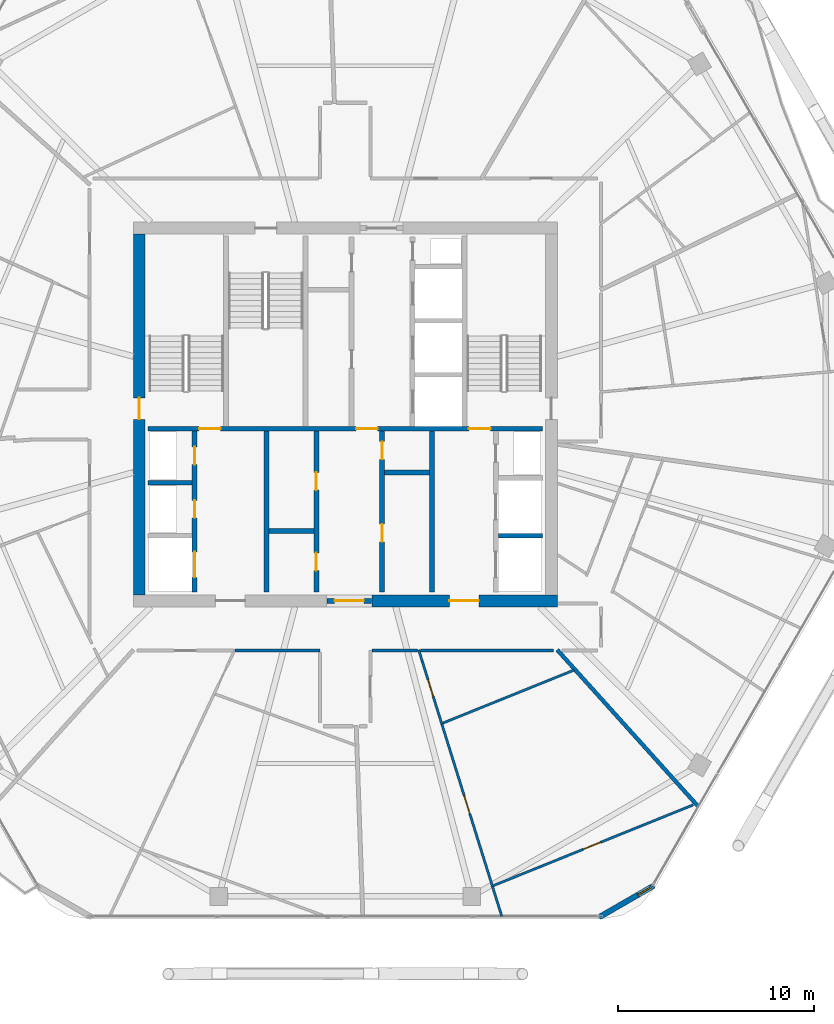
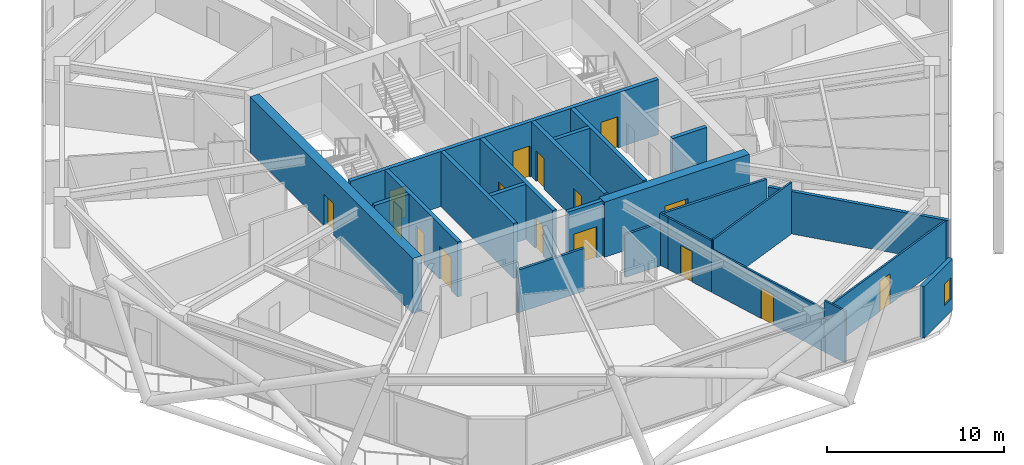
# One storey, part 21 of 27: 24 walls, 16 doors, 1 window, 17 openings.
"""IFC4 building model written with IfcOpenShell, lengths in metres."""

from ifc_helpers import new_model, si_unit, direction, frame, frame_2d, origin, place, context, subcontext, project, spatial, rectangle, extrude, material, layer, layer_set, type_object, element, fill, save


model = new_model("IFC4")

# Units and contexts
model_context = context("Model", 3, precision=1e-05, world=origin(), true_north=direction((0.0, 1.0)))
body_context = subcontext(model_context, "Body", "Model", "MODEL_VIEW")
ifc_project = project(units=[si_unit("LENGTHUNIT", "METRE"), si_unit("AREAUNIT", "SQUARE_METRE"), si_unit("VOLUMEUNIT", "CUBIC_METRE"), si_unit("PLANEANGLEUNIT", "RADIAN"), si_unit("MASSUNIT", "GRAM", prefix="KILO")], contexts=[model_context])

# Site, building, storey
site_placement = place(None, origin())
site = spatial("IfcSite", under=ifc_project, at=site_placement, CompositionType="ELEMENT")
building_placement = place(site_placement, origin())
building = spatial("IfcBuilding", under=site, at=building_placement, Name="Zuhravey Tower", CompositionType="ELEMENT")
storey_placement = place(building_placement, frame((0.0, 0.0, 238.800048828125)))
storey = spatial("IfcBuildingStorey", under=building, at=storey_placement, Name="L60", CompositionType="ELEMENT", Elevation=238.800048828125)

# Wall, opening, door
ifc_material_1 = material(Name="Concrete C50/60", Category="concrete")
ifc_layer_1 = layer(ifc_material_1, 0.60009765625)
ifc_layer_set_1 = layer_set([ifc_layer_1], Name="Concrete C50/60")
wall_type_1 = type_object("IfcWallType", Name="Core Shear Wall 600", PredefinedType="SHEAR", material=ifc_layer_set_1)
wall_1_placement = place(storey_placement, frame((37.35009765625, 22.5, 0.0), z_axis=(0.0, 0.0, 1.0), x_axis=(1.0, 0.0, 0.0)))
wall_1 = element("IfcWall", 1, at=wall_1_placement, inside=storey, type_object=wall_type_1, Name="L60 South-East Core Shear Wall CW60", PredefinedType="SHEAR", context=body_context, shape_type="SweptSolid", body=[
    extrude(rectangle(XDim=9.449951171875, YDim=0.60009765625, at=frame_2d((4.72509765625, 0.0))), origin(), (0.0, 0.0, 1.0), 3.800048828125),
])
opening_1_placement = place(wall_1_placement, frame((3.949951171875, 0.0, 0.0)))
opening_1 = element("IfcOpeningElement", 2, at=opening_1_placement, cuts=wall_1, Name="Opening FFD1", PredefinedType="OPENING", context=body_context, shape_type="SweptSolid", body=[
    extrude(rectangle(XDim=1.5, YDim=2.14990234375, at=frame_2d((0.75, 1.074951171875))), frame((0.0, 0.31201171875, 0.0), z_axis=(0.0, -1.0, 0.0), x_axis=(1.0, 0.0, 0.0)), (0.0, 0.0, 1.0), 0.6240234375),
])
ifc_material_2 = material(Name="Galvanised fire-rated steel leaf", Category="steel")
door_type_1 = type_object("IfcDoorType", Name="Firefighting Lobby Double Door 1500x2150", OperationType="DOUBLE_DOOR_SINGLE_SWING", PredefinedType="DOOR", material=ifc_material_2)
door_1_placement = place(opening_1_placement, origin())
door_1 = element("IfcDoor", 3, at=door_1_placement, inside=storey, type_object=door_type_1, Name="L60 Firefighting Lobby East Door", OperationType="DOUBLE_DOOR_SINGLE_SWING", OverallHeight=2.14990234375, OverallWidth=1.5, PredefinedType="DOOR", context=body_context, shape_type="SweptSolid", body=[
    extrude(rectangle(XDim=1.5, YDim=2.14990234375, at=frame_2d((0.75, 1.074951171875))), frame((0.0, 0.02490234375, 0.0), z_axis=(0.0, -1.0, 0.0), x_axis=(1.0, 0.0, 0.0)), (0.0, 0.0, 1.0), 0.050048828125),
])
fill(opening_1, door_1)

wall_2_placement = place(storey_placement, frame((25.5, 22.800048828125, 0.0), z_axis=(0.0, 0.0, 1.0), x_axis=(0.0, 1.0, 0.0)))
wall_2 = element("IfcWall", 4, at=wall_2_placement, inside=storey, type_object=wall_type_1, Name="L60 West Core Shear Wall CW60", PredefinedType="SHEAR", context=body_context, shape_type="SweptSolid", body=[
    extrude(rectangle(XDim=18.39990234375, YDim=0.60009765625, at=frame_2d((9.199951171875, 0.0))), origin(), (0.0, 0.0, 1.0), 3.800048828125),
])
opening_2_placement = place(wall_2_placement, frame((8.949951171875, 0.0, 0.0)))
opening_2 = element("IfcOpeningElement", 5, at=opening_2_placement, cuts=wall_2, Name="Opening STD1", PredefinedType="OPENING", context=body_context, shape_type="SweptSolid", body=[
    extrude(rectangle(XDim=1.10009765625, YDim=2.14990234375, at=frame_2d((0.550048828125, 1.074951171875))), frame((0.0, 0.31201171875, 0.0), z_axis=(0.0, -1.0, 0.0), x_axis=(1.0, 0.0, 0.0)), (0.0, 0.0, 1.0), 0.6240234375),
])
door_type_2 = type_object("IfcDoorType", Name="Protected Stair Fire Door 1100x2150", OperationType="NOTDEFINED", PredefinedType="USERDEFINED", material=ifc_material_2)
door_2_placement = place(opening_2_placement, frame((1.10009765625, 0.0, 0.0), z_axis=(0.0, 0.0, 1.0), x_axis=(-1.0, 0.0, 0.0)))
door_2 = element("IfcDoor", 6, at=door_2_placement, inside=storey, type_object=door_type_2, Name="L60 Stair ST1 Door", ObjectType="EXITDOOR", OperationType="SINGLE_SWING_LEFT", OverallHeight=2.14990234375, OverallWidth=1.10009765625, PredefinedType="USERDEFINED", context=body_context, shape_type="SweptSolid", body=[
    extrude(rectangle(XDim=1.10009765625, YDim=2.14990234375, at=frame_2d((0.550048828125, 1.074951171875))), frame((0.0, 0.02490234375, 0.0), z_axis=(0.0, -1.0, 0.0), x_axis=(1.0, 0.0, 0.0)), (0.0, 0.0, 1.0), 0.050048828125),
])
fill(opening_2, door_2)

# Walls
ifc_material_3 = material(Name="Gypsum fire-rated stud partition")
ifc_layer_2 = layer(ifc_material_3, 0.159912109375)
ifc_layer_set_2 = layer_set([ifc_layer_2], Name="Gypsum fire-rated stud partition")
wall_type_2 = type_object("IfcWallType", Name="Corridor Fire Partition 160", PredefinedType="PARTITIONING", material=ifc_layer_set_2)
wall_3_placement = place(storey_placement, frame((30.37158203125, 19.969970703125, 0.0), z_axis=(0.0, 0.0, 1.0), x_axis=(1.0, 0.0, 0.0)))
element("IfcWall", 7, at=wall_3_placement, inside=storey, type_object=wall_type_2, Name="L60 IW16 Partition 102", PredefinedType="PARTITIONING", context=body_context, shape_type="SweptSolid", body=[
    extrude(rectangle(XDim=4.348388671875, YDim=0.159912109375, at=frame_2d((2.17431640625, 0.0))), origin(), (0.0, 0.0, 1.0), 2.949951171875),
])
wall_4_placement = place(storey_placement, frame((37.367919921875, 19.969970703125, 0.0), z_axis=(0.0, 0.0, 1.0), x_axis=(1.0, 0.0, 0.0)))
element("IfcWall", 8, at=wall_4_placement, inside=storey, type_object=wall_type_2, Name="L60 IW16 Partition 105", PredefinedType="PARTITIONING", context=body_context, shape_type="SweptSolid", body=[
    extrude(rectangle(XDim=2.3125, YDim=0.159912109375, at=frame_2d((1.15625, 0.0))), origin(), (0.0, 0.0, 1.0), 2.949951171875),
])
wall_5_placement = place(storey_placement, frame((39.82275390625, 19.969970703125, 0.0), z_axis=(0.0, 0.0, 1.0), x_axis=(1.0, 0.0, 0.0)))
element("IfcWall", 9, at=wall_5_placement, inside=storey, type_object=wall_type_2, Name="L60 IW16 Partition 107", PredefinedType="PARTITIONING", context=body_context, shape_type="SweptSolid", body=[
    extrude(rectangle(XDim=6.793701171875, YDim=0.159912109375, at=frame_2d((3.39697265625, 0.0))), origin(), (0.0, 0.0, 1.0), 3.550048828125),
])

# Wall, opening, window
ifc_material_4 = material(Name="Precast concrete C40/50", Category="concrete")
ifc_layer_3 = layer(ifc_material_4, 0.280029296875)
ifc_layer_set_3 = layer_set([ifc_layer_3], Name="Precast concrete C40/50")
wall_type_3 = type_object("IfcWallType", Name="Crown Architectural Wall 280", PredefinedType="SOLIDWALL", material=ifc_layer_set_3)
wall_6_placement = place(storey_placement, frame((51.714599609375, 7.996337890625, 0.0), z_axis=(0.0, 0.0, 1.0), x_axis=(-0.866028773314, -0.499994163758, 0.0)))
wall_6 = element("IfcWall", 10, at=wall_6_placement, inside=storey, type_object=wall_type_3, Name="L60 Rounded Corner Closure Wall EW28-02", PredefinedType="SOLIDWALL", context=body_context, shape_type="SweptSolid", body=[
    extrude(rectangle(XDim=3.21484375, YDim=0.280029296875, at=frame_2d((1.607421875, 0.0))), origin(), (0.0, 0.0, 1.0), 3.550048828125),
])
opening_3_placement = place(wall_6_placement, frame((0.17578125, 0.0, 0.85009765625)))
opening_3 = element("IfcOpeningElement", 11, at=opening_3_placement, cuts=wall_6, Name="Opening WN5", PredefinedType="OPENING", context=body_context, shape_type="SweptSolid", body=[
    extrude(rectangle(XDim=0.75, YDim=1.5, at=frame_2d((0.375, 0.75))), frame((0.0, 0.152099609375, 0.0), z_axis=(0.0, -1.0, 0.0), x_axis=(1.0, 0.0, 0.0)), (0.0, 0.0, 1.0), 0.303955078125),
])
ifc_material_5 = material(Name="Thermally broken aluminium and triple low-E glass", Category="aluminium")
window_type = type_object("IfcWindowType", Name="Residential Corner Casement Window 750x1500", PartitioningType="SINGLE_PANEL", PredefinedType="WINDOW", material=ifc_material_5)
window_placement = place(opening_3_placement, origin())
window = element("IfcWindow", 12, at=window_placement, inside=storey, type_object=window_type, Name="L60 Corner Casement Window WN5-02.1", OverallHeight=1.5, OverallWidth=0.75, PartitioningType="SINGLE_PANEL", PredefinedType="WINDOW", context=body_context, shape_type="SweptSolid", body=[
    extrude(rectangle(XDim=0.75, YDim=1.5, at=frame_2d((0.375, 0.75))), frame((0.0, 0.030029296875, 0.0), z_axis=(0.0, -1.0, 0.0), x_axis=(1.0, 0.0, 0.0)), (0.0, 0.0, 1.0), 0.06005859375),
])
fill(opening_3, window)

# Wall, opening, door
ifc_layer_4 = layer(ifc_material_1, 0.25)
ifc_layer_set_4 = layer_set([ifc_layer_4], Name="Concrete C50/60")
wall_type_4 = type_object("IfcWallType", Name="Firefighting Shaft & Stair Wall 250", PredefinedType="SOLIDWALL", material=ifc_layer_set_4)
wall_7_placement = place(storey_placement, frame((35.06005859375, 22.5, 0.0), z_axis=(0.0, 0.0, 1.0), x_axis=(1.0, 0.0, 0.0)))
wall_7 = element("IfcWall", 13, at=wall_7_placement, inside=storey, type_object=wall_type_4, Name="L60 FW25 Shaft Wall 001", PredefinedType="SOLIDWALL", context=body_context, shape_type="SweptSolid", body=[
    extrude(rectangle(XDim=2.280029296875, YDim=0.25, at=frame_2d((1.14013671875, 0.0))), origin(), (0.0, 0.0, 1.0), 3.800048828125),
])
opening_4_placement = place(wall_7_placement, frame((0.389892578125, 0.0, 0.0)))
opening_4 = element("IfcOpeningElement", 14, at=opening_4_placement, cuts=wall_7, Name="Opening FFD1", PredefinedType="OPENING", context=body_context, shape_type="SweptSolid", body=[
    extrude(rectangle(XDim=1.5, YDim=2.14990234375, at=frame_2d((0.75, 1.074951171875))), frame((0.0, 0.136962890625, 0.0), z_axis=(0.0, -1.0, 0.0), x_axis=(1.0, 0.0, 0.0)), (0.0, 0.0, 1.0), 0.27392578125),
])
door_3_placement = place(opening_4_placement, frame((1.5, 0.0, 0.0), z_axis=(0.0, 0.0, 1.0), x_axis=(-1.0, 0.0, 0.0)))
door_3 = element("IfcDoor", 15, at=door_3_placement, inside=storey, type_object=door_type_1, Name="L60 South Lift Lobby Exit Door", OperationType="DOUBLE_DOOR_SINGLE_SWING", OverallHeight=2.14990234375, OverallWidth=1.5, PredefinedType="DOOR", context=body_context, shape_type="SweptSolid", body=[
    extrude(rectangle(XDim=1.5, YDim=2.14990234375, at=frame_2d((0.75, 1.074951171875))), frame((0.0, 0.02490234375, 0.0), z_axis=(0.0, -1.0, 0.0), x_axis=(1.0, 0.0, 0.0)), (0.0, 0.0, 1.0), 0.050048828125),
])
fill(opening_4, door_3)

# Wall, openings, doors
wall_8_placement = place(storey_placement, frame((25.949951171875, 31.27490234375, 0.0), z_axis=(0.0, 0.0, 1.0), x_axis=(1.0, 0.0, 0.0)))
wall_8 = element("IfcWall", 16, at=wall_8_placement, inside=storey, type_object=wall_type_4, Name="L60 FW25 Shaft Wall 003", PredefinedType="SOLIDWALL", context=body_context, shape_type="SweptSolid", body=[
    extrude(rectangle(XDim=20.10009765625, YDim=0.25, at=frame_2d((10.050048828125, 0.0))), origin(), (0.0, 0.0, 1.0), 3.800048828125),
])
opening_5_placement = place(wall_8_placement, frame((2.60009765625, 0.0, 0.0)))
opening_5 = element("IfcOpeningElement", 17, at=opening_5_placement, cuts=wall_8, Name="Opening STD1", PredefinedType="OPENING", context=body_context, shape_type="SweptSolid", body=[
    extrude(rectangle(XDim=1.10009765625, YDim=2.14990234375, at=frame_2d((0.550048828125, 1.074951171875))), frame((0.0, 0.136962890625, 0.0), z_axis=(0.0, -1.0, 0.0), x_axis=(1.0, 0.0, 0.0)), (0.0, 0.0, 1.0), 0.27392578125),
])
opening_6_placement = place(wall_8_placement, frame((10.60009765625, 0.0, 0.0)))
opening_6 = element("IfcOpeningElement", 18, at=opening_6_placement, cuts=wall_8, Name="Opening STD1", PredefinedType="OPENING", context=body_context, shape_type="SweptSolid", body=[
    extrude(rectangle(XDim=1.10009765625, YDim=2.14990234375, at=frame_2d((0.550048828125, 1.074951171875))), frame((0.0, 0.136962890625, 0.0), z_axis=(0.0, -1.0, 0.0), x_axis=(1.0, 0.0, 0.0)), (0.0, 0.0, 1.0), 0.27392578125),
])
opening_7_placement = place(wall_8_placement, frame((16.35009765625, 0.0, 0.0)))
opening_7 = element("IfcOpeningElement", 19, at=opening_7_placement, cuts=wall_8, Name="Opening STD1", PredefinedType="OPENING", context=body_context, shape_type="SweptSolid", body=[
    extrude(rectangle(XDim=1.10009765625, YDim=2.14990234375, at=frame_2d((0.550048828125, 1.074951171875))), frame((0.0, 0.136962890625, 0.0), z_axis=(0.0, -1.0, 0.0), x_axis=(1.0, 0.0, 0.0)), (0.0, 0.0, 1.0), 0.27392578125),
])
door_4_placement = place(opening_5_placement, origin())
door_4 = element("IfcDoor", 20, at=door_4_placement, inside=storey, type_object=door_type_2, Name="L60 FFL-W to ST1 Door", ObjectType="EXITDOOR", OperationType="SINGLE_SWING_RIGHT", OverallHeight=2.14990234375, OverallWidth=1.10009765625, PredefinedType="USERDEFINED", context=body_context, shape_type="SweptSolid", body=[
    extrude(rectangle(XDim=1.10009765625, YDim=2.14990234375, at=frame_2d((0.550048828125, 1.074951171875))), frame((0.0, 0.02490234375, 0.0), z_axis=(0.0, -1.0, 0.0), x_axis=(1.0, 0.0, 0.0)), (0.0, 0.0, 1.0), 0.050048828125),
])
fill(opening_5, door_4)
door_5_placement = place(opening_6_placement, origin())
door_5 = element("IfcDoor", 21, at=door_5_placement, inside=storey, type_object=door_type_2, Name="L60 Core Lobby Link Door", ObjectType="EXITDOOR", OperationType="SINGLE_SWING_LEFT", OverallHeight=2.14990234375, OverallWidth=1.10009765625, PredefinedType="USERDEFINED", context=body_context, shape_type="SweptSolid", body=[
    extrude(rectangle(XDim=1.10009765625, YDim=2.14990234375, at=frame_2d((0.550048828125, 1.074951171875))), frame((0.0, 0.02490234375, 0.0), z_axis=(0.0, -1.0, 0.0), x_axis=(1.0, 0.0, 0.0)), (0.0, 0.0, 1.0), 0.050048828125),
])
fill(opening_6, door_5)
door_6_placement = place(opening_7_placement, origin())
door_6 = element("IfcDoor", 22, at=door_6_placement, inside=storey, type_object=door_type_2, Name="L60 FFL-E to ST2 Door", ObjectType="EXITDOOR", OperationType="SINGLE_SWING_RIGHT", OverallHeight=2.14990234375, OverallWidth=1.10009765625, PredefinedType="USERDEFINED", context=body_context, shape_type="SweptSolid", body=[
    extrude(rectangle(XDim=1.10009765625, YDim=2.14990234375, at=frame_2d((0.550048828125, 1.074951171875))), frame((0.0, 0.02490234375, 0.0), z_axis=(0.0, -1.0, 0.0), x_axis=(1.0, 0.0, 0.0)), (0.0, 0.0, 1.0), 0.050048828125),
])
fill(opening_7, door_6)

# Wall
wall_9_placement = place(storey_placement, frame((25.949951171875, 28.52490234375, 0.0), z_axis=(0.0, 0.0, 1.0), x_axis=(1.0, 0.0, 0.0)))
element("IfcWall", 23, at=wall_9_placement, inside=storey, type_object=wall_type_4, Name="L60 FW25 Shaft Wall 010", PredefinedType="SOLIDWALL", context=body_context, shape_type="SweptSolid", body=[
    extrude(rectangle(XDim=2.25, YDim=0.25, at=frame_2d((1.125, 0.0))), origin(), (0.0, 0.0, 1.0), 3.800048828125),
])

# Wall, openings, doors
wall_10_placement = place(storey_placement, frame((28.324951171875, 22.949951171875, 0.0), z_axis=(0.0, 0.0, 1.0), x_axis=(0.0, 1.0, 0.0)))
wall_10 = element("IfcWall", 24, at=wall_10_placement, inside=storey, type_object=wall_type_4, Name="L60 FW25 Shaft Wall 011", PredefinedType="SOLIDWALL", context=body_context, shape_type="SweptSolid", body=[
    extrude(rectangle(XDim=8.199951171875, YDim=0.25, at=frame_2d((4.10009765625, 0.0))), origin(), (0.0, 0.0, 1.0), 3.800048828125),
])
opening_8_placement = place(wall_10_placement, frame((0.75, 0.0, 0.0)))
opening_8 = element("IfcOpeningElement", 25, at=opening_8_placement, cuts=wall_10, Name="Opening LD2", PredefinedType="OPENING", context=body_context, shape_type="SweptSolid", body=[
    extrude(rectangle(XDim=1.300048828125, YDim=2.300048828125, at=frame_2d((0.64990234375, 1.14990234375))), frame((0.0, 0.136962890625, 0.0), z_axis=(0.0, -1.0, 0.0), x_axis=(1.0, 0.0, 0.0)), (0.0, 0.0, 1.0), 0.27392578125),
])
opening_9_placement = place(wall_10_placement, frame((3.780029296875, 0.0, 0.0)))
opening_9 = element("IfcOpeningElement", 26, at=opening_9_placement, cuts=wall_10, Name="Opening RSD1", PredefinedType="OPENING", context=body_context, shape_type="SweptSolid", body=[
    extrude(rectangle(XDim=0.89990234375, YDim=2.10009765625, at=frame_2d((0.449951171875, 1.050048828125))), frame((0.0, 0.136962890625, 0.0), z_axis=(0.0, -1.0, 0.0), x_axis=(1.0, 0.0, 0.0)), (0.0, 0.0, 1.0), 0.27392578125),
])
opening_10_placement = place(wall_10_placement, frame((6.5, 0.0, 0.0)))
opening_10 = element("IfcOpeningElement", 27, at=opening_10_placement, cuts=wall_10, Name="Opening RSD1", PredefinedType="OPENING", context=body_context, shape_type="SweptSolid", body=[
    extrude(rectangle(XDim=0.89990234375, YDim=2.10009765625, at=frame_2d((0.449951171875, 1.050048828125))), frame((0.0, 0.136962890625, 0.0), z_axis=(0.0, -1.0, 0.0), x_axis=(1.0, 0.0, 0.0)), (0.0, 0.0, 1.0), 0.27392578125),
])
ifc_material_6 = material(Name="Brushed stainless steel", Category="steel")
door_type_3 = type_object("IfcDoorType", Name="Freight & Stretcher Lift Sliding Door 1300x2300", OperationType="DOUBLE_DOOR_SLIDING", PredefinedType="DOOR", material=ifc_material_6)
door_7_placement = place(opening_8_placement, frame((1.300048828125, 0.0, 0.0), z_axis=(0.0, 0.0, 1.0), x_axis=(-1.0, 0.0, 0.0)))
door_7 = element("IfcDoor", 28, at=door_7_placement, inside=storey, type_object=door_type_3, Name="L60 Lift FF1 Landing Door", OperationType="DOUBLE_DOOR_SLIDING", OverallHeight=2.300048828125, OverallWidth=1.300048828125, PredefinedType="DOOR", context=body_context, shape_type="SweptSolid", body=[
    extrude(rectangle(XDim=1.300048828125, YDim=2.300048828125, at=frame_2d((0.64990234375, 1.14990234375))), frame((0.0, 0.02490234375, 0.0), z_axis=(0.0, -1.0, 0.0), x_axis=(1.0, 0.0, 0.0)), (0.0, 0.0, 1.0), 0.050048828125),
])
fill(opening_8, door_7)
ifc_material_7 = material(Name="Galvanised fire-rated steel access leaf", Category="steel")
door_type_4 = type_object("IfcDoorType", Name="Riser & Shaft Access Fire Door 900x2100", OperationType="NOTDEFINED", PredefinedType="DOOR", material=ifc_material_7)
door_8_placement = place(opening_9_placement, frame((0.89990234375, 0.0, 0.0), z_axis=(0.0, 0.0, 1.0), x_axis=(-1.0, 0.0, 0.0)))
door_8 = element("IfcDoor", 29, at=door_8_placement, inside=storey, type_object=door_type_4, Name="L60 Electrical Riser Door", OperationType="SINGLE_SWING_RIGHT", OverallHeight=2.10009765625, OverallWidth=0.89990234375, PredefinedType="DOOR", context=body_context, shape_type="SweptSolid", body=[
    extrude(rectangle(XDim=0.89990234375, YDim=2.10009765625, at=frame_2d((0.449951171875, 1.050048828125))), frame((0.0, 0.02490234375, 0.0), z_axis=(0.0, -1.0, 0.0), x_axis=(1.0, 0.0, 0.0)), (0.0, 0.0, 1.0), 0.050048828125),
])
fill(opening_9, door_8)
door_9_placement = place(opening_10_placement, frame((0.89990234375, 0.0, 0.0), z_axis=(0.0, 0.0, 1.0), x_axis=(-1.0, 0.0, 0.0)))
door_9 = element("IfcDoor", 30, at=door_9_placement, inside=storey, type_object=door_type_4, Name="L60 Smoke Shaft Access Door", OperationType="SINGLE_SWING_LEFT", OverallHeight=2.10009765625, OverallWidth=0.89990234375, PredefinedType="DOOR", context=body_context, shape_type="SweptSolid", body=[
    extrude(rectangle(XDim=0.89990234375, YDim=2.10009765625, at=frame_2d((0.449951171875, 1.050048828125))), frame((0.0, 0.02490234375, 0.0), z_axis=(0.0, -1.0, 0.0), x_axis=(1.0, 0.0, 0.0)), (0.0, 0.0, 1.0), 0.050048828125),
])
fill(opening_10, door_9)

# Walls
wall_11_placement = place(storey_placement, frame((31.97509765625, 22.949951171875, 0.0), z_axis=(0.0, 0.0, 1.0), x_axis=(0.0, 1.0, 0.0)))
element("IfcWall", 31, at=wall_11_placement, inside=storey, type_object=wall_type_4, Name="L60 FW25 Shaft Wall 012", PredefinedType="SOLIDWALL", context=body_context, shape_type="SweptSolid", body=[
    extrude(rectangle(XDim=8.199951171875, YDim=0.25, at=frame_2d((4.10009765625, 0.0))), origin(), (0.0, 0.0, 1.0), 3.800048828125),
])
wall_12_placement = place(storey_placement, frame((32.10009765625, 26.074951171875, 0.0), z_axis=(0.0, 0.0, 1.0), x_axis=(1.0, 0.0, 0.0)))
element("IfcWall", 32, at=wall_12_placement, inside=storey, type_object=wall_type_4, Name="L60 FW25 Shaft Wall 013", PredefinedType="SOLIDWALL", context=body_context, shape_type="SweptSolid", body=[
    extrude(rectangle(XDim=2.2998046875, YDim=0.25, at=frame_2d((1.14990234375, 0.0))), origin(), (0.0, 0.0, 1.0), 3.800048828125),
])

# Wall, openings, doors
wall_13_placement = place(storey_placement, frame((34.52490234375, 22.949951171875, 0.0), z_axis=(0.0, 0.0, 1.0), x_axis=(0.0, 1.0, 0.0)))
wall_13 = element("IfcWall", 33, at=wall_13_placement, inside=storey, type_object=wall_type_4, Name="L60 FW25 Shaft Wall 014", PredefinedType="SOLIDWALL", context=body_context, shape_type="SweptSolid", body=[
    extrude(rectangle(XDim=8.199951171875, YDim=0.25, at=frame_2d((4.10009765625, 0.0))), origin(), (0.0, 0.0, 1.0), 3.800048828125),
])
opening_11_placement = place(wall_13_placement, frame((1.10009765625, 0.0, 0.0)))
opening_11 = element("IfcOpeningElement", 34, at=opening_11_placement, cuts=wall_13, Name="Opening RSD1", PredefinedType="OPENING", context=body_context, shape_type="SweptSolid", body=[
    extrude(rectangle(XDim=0.89990234375, YDim=2.10009765625, at=frame_2d((0.449951171875, 1.050048828125))), frame((0.0, 0.136962890625, 0.0), z_axis=(0.0, -1.0, 0.0), x_axis=(1.0, 0.0, 0.0)), (0.0, 0.0, 1.0), 0.27392578125),
])
opening_12_placement = place(wall_13_placement, frame((5.199951171875, 0.0, 0.0)))
opening_12 = element("IfcOpeningElement", 35, at=opening_12_placement, cuts=wall_13, Name="Opening RSD1", PredefinedType="OPENING", context=body_context, shape_type="SweptSolid", body=[
    extrude(rectangle(XDim=0.89990234375, YDim=2.10009765625, at=frame_2d((0.449951171875, 1.050048828125))), frame((0.0, 0.136962890625, 0.0), z_axis=(0.0, -1.0, 0.0), x_axis=(1.0, 0.0, 0.0)), (0.0, 0.0, 1.0), 0.27392578125),
])
door_10_placement = place(opening_11_placement, origin())
door_10 = element("IfcDoor", 36, at=door_10_placement, inside=storey, type_object=door_type_4, Name="L60 Metering Room Door", OperationType="SINGLE_SWING_RIGHT", OverallHeight=2.10009765625, OverallWidth=0.89990234375, PredefinedType="DOOR", context=body_context, shape_type="SweptSolid", body=[
    extrude(rectangle(XDim=0.89990234375, YDim=2.10009765625, at=frame_2d((0.449951171875, 1.050048828125))), frame((0.0, 0.02490234375, 0.0), z_axis=(0.0, -1.0, 0.0), x_axis=(1.0, 0.0, 0.0)), (0.0, 0.0, 1.0), 0.050048828125),
])
fill(opening_11, door_10)
door_11_placement = place(opening_12_placement, origin())
door_11 = element("IfcDoor", 37, at=door_11_placement, inside=storey, type_object=door_type_4, Name="L60 Housekeeping Supply Door", OperationType="SINGLE_SWING_LEFT", OverallHeight=2.10009765625, OverallWidth=0.89990234375, PredefinedType="DOOR", context=body_context, shape_type="SweptSolid", body=[
    extrude(rectangle(XDim=0.89990234375, YDim=2.10009765625, at=frame_2d((0.449951171875, 1.050048828125))), frame((0.0, 0.02490234375, 0.0), z_axis=(0.0, -1.0, 0.0), x_axis=(1.0, 0.0, 0.0)), (0.0, 0.0, 1.0), 0.050048828125),
])
fill(opening_12, door_11)

# Wall
wall_14_placement = place(storey_placement, frame((38.0, 29.050048828125, 0.0), z_axis=(0.0, 0.0, 1.0), x_axis=(1.0, 0.0, 0.0)))
element("IfcWall", 38, at=wall_14_placement, inside=storey, type_object=wall_type_4, Name="L60 FW25 Shaft Wall 015", PredefinedType="SOLIDWALL", context=body_context, shape_type="SweptSolid", body=[
    extrude(rectangle(XDim=2.300048828125, YDim=0.25, at=frame_2d((1.14990234375, 0.0))), origin(), (0.0, 0.0, 1.0), 3.800048828125),
])

# Wall, openings, doors
wall_15_placement = place(storey_placement, frame((37.875, 22.949951171875, 0.0), z_axis=(0.0, 0.0, 1.0), x_axis=(0.0, 1.0, 0.0)))
wall_15 = element("IfcWall", 39, at=wall_15_placement, inside=storey, type_object=wall_type_4, Name="L60 FW25 Shaft Wall 016", PredefinedType="SOLIDWALL", context=body_context, shape_type="SweptSolid", body=[
    extrude(rectangle(XDim=8.199951171875, YDim=0.25, at=frame_2d((4.10009765625, 0.0))), origin(), (0.0, 0.0, 1.0), 3.800048828125),
])
opening_13_placement = place(wall_15_placement, frame((2.5625, 0.0, 0.0)))
opening_13 = element("IfcOpeningElement", 40, at=opening_13_placement, cuts=wall_15, Name="Opening RSD1", PredefinedType="OPENING", context=body_context, shape_type="SweptSolid", body=[
    extrude(rectangle(XDim=0.89990234375, YDim=2.10009765625, at=frame_2d((0.449951171875, 1.050048828125))), frame((0.0, 0.136962890625, 0.0), z_axis=(0.0, -1.0, 0.0), x_axis=(1.0, 0.0, 0.0)), (0.0, 0.0, 1.0), 0.27392578125),
])
opening_14_placement = place(wall_15_placement, frame((6.762451171875, 0.0, 0.0)))
opening_14 = element("IfcOpeningElement", 41, at=opening_14_placement, cuts=wall_15, Name="Opening RSD1", PredefinedType="OPENING", context=body_context, shape_type="SweptSolid", body=[
    extrude(rectangle(XDim=0.89990234375, YDim=2.10009765625, at=frame_2d((0.449951171875, 1.050048828125))), frame((0.0, 0.136962890625, 0.0), z_axis=(0.0, -1.0, 0.0), x_axis=(1.0, 0.0, 0.0)), (0.0, 0.0, 1.0), 0.27392578125),
])
door_12_placement = place(opening_13_placement, frame((0.89990234375, 0.0, 0.0), z_axis=(0.0, 0.0, 1.0), x_axis=(-1.0, 0.0, 0.0)))
door_12 = element("IfcDoor", 42, at=door_12_placement, inside=storey, type_object=door_type_4, Name="L60 Trunk Store Door", OperationType="SINGLE_SWING_RIGHT", OverallHeight=2.10009765625, OverallWidth=0.89990234375, PredefinedType="DOOR", context=body_context, shape_type="SweptSolid", body=[
    extrude(rectangle(XDim=0.89990234375, YDim=2.10009765625, at=frame_2d((0.449951171875, 1.050048828125))), frame((0.0, 0.02490234375, 0.0), z_axis=(0.0, -1.0, 0.0), x_axis=(1.0, 0.0, 0.0)), (0.0, 0.0, 1.0), 0.050048828125),
])
fill(opening_13, door_12)
door_13_placement = place(opening_14_placement, frame((0.89990234375, 0.0, 0.0), z_axis=(0.0, 0.0, 1.0), x_axis=(-1.0, 0.0, 0.0)))
door_13 = element("IfcDoor", 43, at=door_13_placement, inside=storey, type_object=door_type_4, Name="L60 Fiber Room Door", OperationType="SINGLE_SWING_LEFT", OverallHeight=2.10009765625, OverallWidth=0.89990234375, PredefinedType="DOOR", context=body_context, shape_type="SweptSolid", body=[
    extrude(rectangle(XDim=0.89990234375, YDim=2.10009765625, at=frame_2d((0.449951171875, 1.050048828125))), frame((0.0, 0.02490234375, 0.0), z_axis=(0.0, -1.0, 0.0), x_axis=(1.0, 0.0, 0.0)), (0.0, 0.0, 1.0), 0.050048828125),
])
fill(opening_14, door_13)

# Walls
wall_16_placement = place(storey_placement, frame((40.425048828125, 22.949951171875, 0.0), z_axis=(0.0, 0.0, 1.0), x_axis=(0.0, 1.0, 0.0)))
element("IfcWall", 44, at=wall_16_placement, inside=storey, type_object=wall_type_4, Name="L60 FW25 Shaft Wall 017", PredefinedType="SOLIDWALL", context=body_context, shape_type="SweptSolid", body=[
    extrude(rectangle(XDim=8.199951171875, YDim=0.25, at=frame_2d((4.10009765625, 0.0))), origin(), (0.0, 0.0, 1.0), 3.800048828125),
])
wall_17_placement = place(storey_placement, frame((43.800048828125, 25.824951171875, 0.0), z_axis=(0.0, 0.0, 1.0), x_axis=(1.0, 0.0, 0.0)))
element("IfcWall", 45, at=wall_17_placement, inside=storey, type_object=wall_type_4, Name="L60 FW25 Shaft Wall 018", PredefinedType="SOLIDWALL", context=body_context, shape_type="SweptSolid", body=[
    extrude(rectangle(XDim=2.25, YDim=0.25, at=frame_2d((1.125, 0.0))), origin(), (0.0, 0.0, 1.0), 3.800048828125),
])
ifc_material_8 = material(Name="Gypsum double-stud party assembly")
ifc_layer_5 = layer(ifc_material_8, 0.199951171875)
ifc_layer_set_5 = layer_set([ifc_layer_5], Name="Gypsum double-stud party assembly")
wall_type_5 = type_object("IfcWallType", Name="Inter-Tenancy Party Wall 200", PredefinedType="PARTITIONING", material=ifc_layer_set_5)
wall_18_placement = place(storey_placement, frame((46.7958984375, 20.010009765625, 0.0), z_axis=(0.0, 0.0, 1.0), x_axis=(0.669124143022, -0.743150645041, 0.0)))
element("IfcWall", 46, at=wall_18_placement, inside=storey, type_object=wall_type_5, Name="L60 IW20 Partition 079", PredefinedType="PARTITIONING", context=body_context, shape_type="SweptSolid", body=[
    extrude(rectangle(XDim=10.744873046875, YDim=0.199951171875, at=frame_2d((5.37255859375, 0.0))), origin(), (0.0, 0.0, 1.0), 2.929931640625),
])

# Wall, opening, door
ifc_material_9 = material(Name="Gypsum metal-stud partition")
ifc_layer_6 = layer(ifc_material_9, 0.1201171875)
ifc_layer_set_6 = layer_set([ifc_layer_6], Name="Gypsum metal-stud partition")
wall_type_6 = type_object("IfcWallType", Name="Unit Internal Partition 120", PredefinedType="PARTITIONING", material=ifc_layer_set_6)
wall_19_placement = place(storey_placement, frame((39.92919921875, 19.39990234375, 0.0), z_axis=(0.0, 0.0, 1.0), x_axis=(0.297738747335, -0.954647389529, 0.0)))
wall_19 = element("IfcWall", 47, at=wall_19_placement, inside=storey, type_object=wall_type_6, Name="L60 IW12 Partition 037", PredefinedType="PARTITIONING", context=body_context, shape_type="SweptSolid", body=[
    extrude(rectangle(XDim=3.318359375, YDim=0.1201171875, at=frame_2d((1.6591796875, 0.0))), origin(), (0.0, 0.0, 1.0), 3.550048828125),
])
opening_15_placement = place(wall_19_placement, frame((0.94384765625, 0.0, 0.0)))
opening_15 = element("IfcOpeningElement", 48, at=opening_15_placement, cuts=wall_19, Name="Opening WCD1", PredefinedType="OPENING", context=body_context, shape_type="SweptSolid", body=[
    extrude(rectangle(XDim=0.89990234375, YDim=2.10009765625, at=frame_2d((0.449951171875, 1.050048828125))), frame((0.0, 0.072021484375, 0.0), z_axis=(0.0, -1.0, 0.0), x_axis=(1.0, 0.0, 0.0)), (0.0, 0.0, 1.0), 0.14404296875),
])
ifc_material_10 = material(Name="Moisture-resistant timber leaf", Category="wood")
door_type_5 = type_object("IfcDoorType", Name="Bathroom & WC Internal Door 900x2100", OperationType="NOTDEFINED", PredefinedType="DOOR", material=ifc_material_10)
door_14_placement = place(opening_15_placement, origin())
door_14 = element("IfcDoor", 49, at=door_14_placement, inside=storey, type_object=door_type_5, Name="Apartment L60-05 Bathroom Door", OperationType="SINGLE_SWING_LEFT", OverallHeight=2.10009765625, OverallWidth=0.89990234375, PredefinedType="DOOR", context=body_context, shape_type="SweptSolid", body=[
    extrude(rectangle(XDim=0.89990234375, YDim=2.10009765625, at=frame_2d((0.449951171875, 1.050048828125))), frame((0.0, 0.02490234375, 0.0), z_axis=(0.0, -1.0, 0.0), x_axis=(1.0, 0.0, 0.0)), (0.0, 0.0, 1.0), 0.050048828125),
])
fill(opening_15, door_14)

wall_20_placement = place(storey_placement, frame((40.917236328125, 16.23193359375, 0.0), z_axis=(0.0, 0.0, 1.0), x_axis=(0.297710586005, -0.954656172127, 0.0)))
wall_20 = element("IfcWall", 50, at=wall_20_placement, inside=storey, type_object=wall_type_6, Name="L60 IW12 Partition 038", PredefinedType="PARTITIONING", context=body_context, shape_type="SweptSolid", body=[
    extrude(rectangle(XDim=8.67041015625, YDim=0.1201171875, at=frame_2d((4.335205078125, 0.0))), origin(), (0.0, 0.0, 1.0), 2.929931640625),
])
opening_16_placement = place(wall_20_placement, frame((3.835205078125, 0.0, 0.0)))
opening_16 = element("IfcOpeningElement", 51, at=opening_16_placement, cuts=wall_20, Name="Opening IND1", PredefinedType="OPENING", context=body_context, shape_type="SweptSolid", body=[
    extrude(rectangle(XDim=0.949951171875, YDim=2.10009765625, at=frame_2d((0.47509765625, 1.050048828125))), frame((0.0, 0.072021484375, 0.0), z_axis=(0.0, -1.0, 0.0), x_axis=(1.0, 0.0, 0.0)), (0.0, 0.0, 1.0), 0.14404296875),
])
ifc_material_11 = material(Name="Painted engineered timber leaf", Category="wood")
door_type_6 = type_object("IfcDoorType", Name="Internal Room & Bedroom Door 950x2100", OperationType="NOTDEFINED", PredefinedType="DOOR", material=ifc_material_11)
door_15_placement = place(opening_16_placement, origin())
door_15 = element("IfcDoor", 52, at=door_15_placement, inside=storey, type_object=door_type_6, Name="Apartment L60-05 Home Office Door", OperationType="SINGLE_SWING_RIGHT", OverallHeight=2.10009765625, OverallWidth=0.949951171875, PredefinedType="DOOR", context=body_context, shape_type="SweptSolid", body=[
    extrude(rectangle(XDim=0.949951171875, YDim=2.10009765625, at=frame_2d((0.47509765625, 1.050048828125))), frame((0.0, 0.02490234375, 0.0), z_axis=(0.0, -1.0, 0.0), x_axis=(1.0, 0.0, 0.0)), (0.0, 0.0, 1.0), 0.050048828125),
])
fill(opening_16, door_15)

wall_21_placement = place(storey_placement, frame((43.55419921875, 8.00390625, 0.0), z_axis=(0.0, 0.0, 1.0), x_axis=(0.927183582348, 0.374607267179, 0.0)))
wall_21 = element("IfcWall", 53, at=wall_21_placement, inside=storey, type_object=wall_type_6, Name="L60 IW12 Partition 039", PredefinedType="PARTITIONING", context=body_context, shape_type="SweptSolid", body=[
    extrude(rectangle(XDim=10.9716796875, YDim=0.1201171875, at=frame_2d((5.48583984375, 0.0))), origin(), (0.0, 0.0, 1.0), 2.929931640625),
])
opening_17_placement = place(wall_21_placement, frame((4.926513671875, 0.0, 0.0)))
opening_17 = element("IfcOpeningElement", 54, at=opening_17_placement, cuts=wall_21, Name="Opening IND1", PredefinedType="OPENING", context=body_context, shape_type="SweptSolid", body=[
    extrude(rectangle(XDim=0.949951171875, YDim=2.10009765625, at=frame_2d((0.47509765625, 1.050048828125))), frame((0.0, 0.072021484375, 0.0), z_axis=(0.0, -1.0, 0.0), x_axis=(1.0, 0.0, 0.0)), (0.0, 0.0, 1.0), 0.14404296875),
])
door_16_placement = place(opening_17_placement, frame((0.949951171875, 0.0, 0.0), z_axis=(0.0, 0.0, 1.0), x_axis=(-1.0, 0.0, 0.0)))
door_16 = element("IfcDoor", 55, at=door_16_placement, inside=storey, type_object=door_type_6, Name="Apartment L60-05 Bedroom 1 Door", OperationType="SINGLE_SWING_LEFT", OverallHeight=2.10009765625, OverallWidth=0.949951171875, PredefinedType="DOOR", context=body_context, shape_type="SweptSolid", body=[
    extrude(rectangle(XDim=0.949951171875, YDim=2.10009765625, at=frame_2d((0.47509765625, 1.050048828125))), frame((0.0, 0.02490234375, 0.0), z_axis=(0.0, -1.0, 0.0), x_axis=(1.0, 0.0, 0.0)), (0.0, 0.0, 1.0), 0.050048828125),
])
fill(opening_17, door_16)

# Walls
wall_22_placement = place(storey_placement, frame((39.73779296875, 20.013916015625, 0.0), z_axis=(0.0, 0.0, 1.0), x_axis=(0.297604881779, -0.954689129686, 0.0)))
element("IfcWall", 56, at=wall_22_placement, inside=storey, type_object=wall_type_6, Name="L60 IW12 Partition 076", PredefinedType="PARTITIONING", context=body_context, shape_type="SweptSolid", body=[
    extrude(rectangle(XDim=0.64306640625, YDim=0.1201171875, at=frame_2d((0.321533203125, 0.0))), origin(), (0.0, 0.0, 1.0), 3.550048828125),
])
wall_23_placement = place(storey_placement, frame((43.49853515625, 7.95458984375, 0.0), z_axis=(0.0, 0.0, 1.0), x_axis=(0.297621462393, -0.95468396086, 0.0)))
element("IfcWall", 57, at=wall_23_placement, inside=storey, type_object=wall_type_6, Name="L60 IW12 Partition 077", PredefinedType="PARTITIONING", context=body_context, shape_type="SweptSolid", body=[
    extrude(rectangle(XDim=1.595458984375, YDim=0.1201171875, at=frame_2d((0.7978515625, 0.0))), origin(), (0.0, 0.0, 1.0), 3.550048828125),
])
wall_24_placement = place(storey_placement, frame((40.972900390625, 16.28125, 0.0), z_axis=(0.0, 0.0, 1.0), x_axis=(0.927185708854, 0.374602003862, 0.0)))
element("IfcWall", 58, at=wall_24_placement, inside=storey, type_object=wall_type_6, Name="L60 IW12 Partition 078", PredefinedType="PARTITIONING", context=body_context, shape_type="SweptSolid", body=[
    extrude(rectangle(XDim=7.204345703125, YDim=0.1201171875, at=frame_2d((3.60205078125, 0.0))), origin(), (0.0, 0.0, 1.0), 3.550048828125),
])

save(model, "model.ifc")
